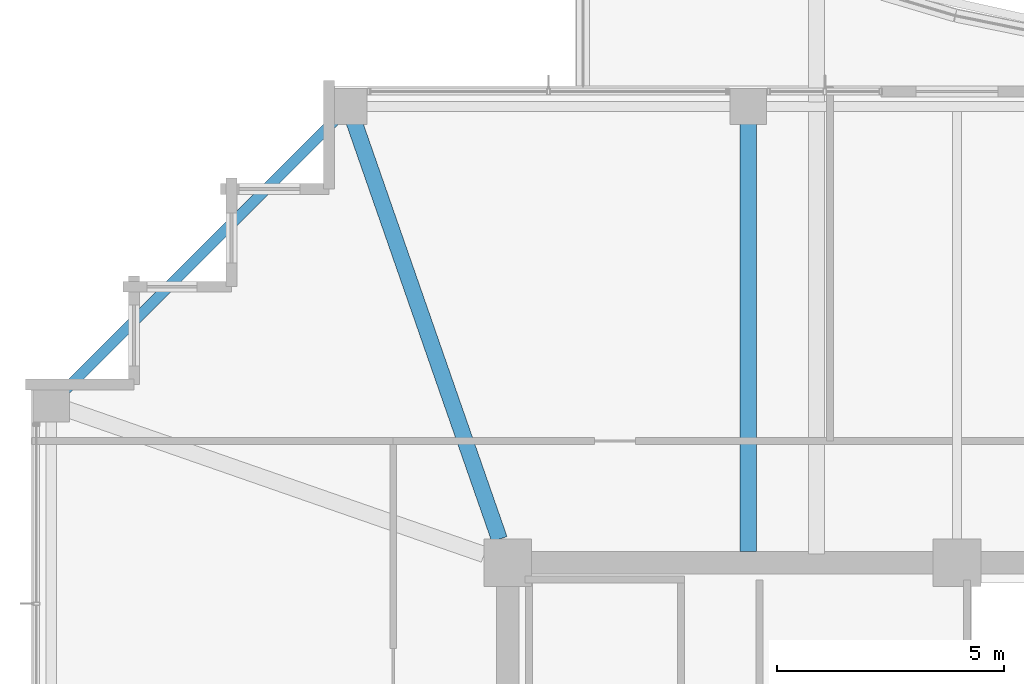
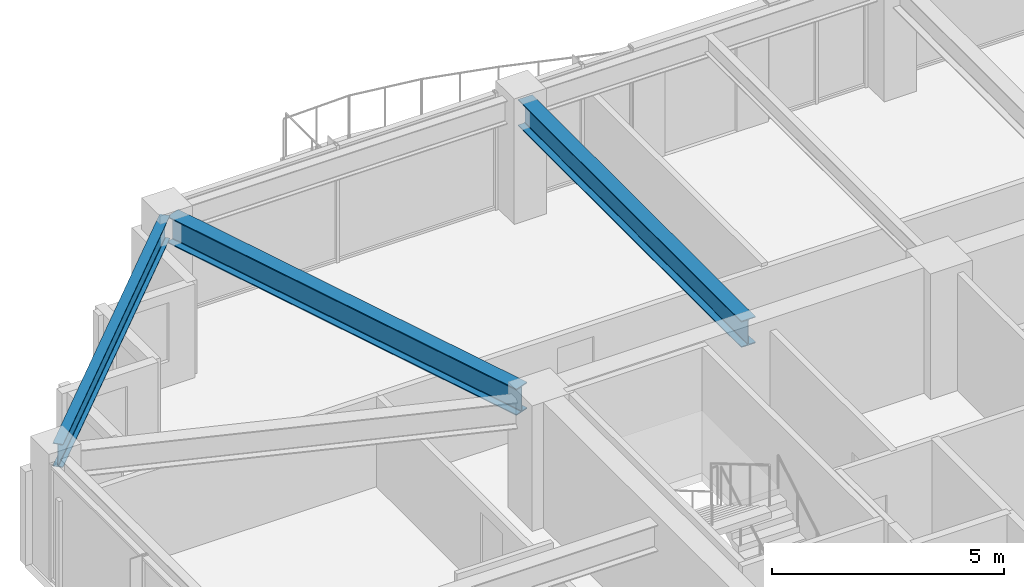
# One storey, part 15 of 36: 3 beams.
"""IFC4 building model written with IfcOpenShell, lengths in metres."""

import ifcopenshell
import ifcopenshell.guid

model = None  # the IFC model being written
_history = None  # IfcOwnerHistory: only IFC2X3 demands one
_inside = {}  # id of a spatial element -> (the spatial element, [elements in it])
_under = {}  # id of a project, library or spatial element -> (it, [spatial elements below it])
_declared = {}  # id of a project -> (the project, [libraries it declares])
_typed = {}  # id of a type object -> (the type object, [elements of that type])
_made_of = {}  # id of a material, layer set ... -> (it, [elements and type objects made of it])


def new_model(schema):
    """Start an empty IFC model of exactly this schema.

    Asked for "IFC4X3", IfcOpenShell would pick the latest addendum, in which some entities
    have other attributes; the version numbers below select the first issue.
    IFC2X3 requires an IfcOwnerHistory on every rooted entity: one is made here for all.
    """
    global model, _history
    if schema == "IFC4X3":
        model = ifcopenshell.file(schema_version=(4, 3, 0, 0))
    else:
        model = ifcopenshell.file(schema=schema)
    _inside.clear()
    _under.clear()
    _declared.clear()
    _typed.clear()
    _made_of.clear()
    _history = None
    if model.schema == "IFC2X3":
        org = make("IfcOrganization", Name="unknown")
        user = make(
            "IfcPersonAndOrganization",
            ThePerson=make("IfcPerson", FamilyName="unknown"),
            TheOrganization=org,
        )
        app = make(
            "IfcApplication",
            ApplicationDeveloper=org,
            Version="unknown",
            ApplicationFullName="unknown",
            ApplicationIdentifier="unknown",
        )
        _history = make(
            "IfcOwnerHistory",
            OwningUser=user,
            OwningApplication=app,
            ChangeAction="ADDED",
            CreationDate=0,
        )
    return model


def make(cls, **values):
    """One entity of the class cls with the attributes given. An attribute that is None is left unset."""
    return model.create_entity(
        cls, **{name: value for name, value in values.items() if value is not None}
    )


def rooted(cls, **values):
    """An entity with a GlobalId (a new one), such as an element, a storey or a relation."""
    return make(cls, GlobalId=ifcopenshell.guid.new(), OwnerHistory=_history, **values)


def si_unit(unit_type, name, prefix=None):
    """IfcSIUnit, for example si_unit("LENGTHUNIT", "METRE", prefix="MILLI")."""
    return make("IfcSIUnit", UnitType=unit_type, Prefix=prefix, Name=name)


def assignment(units):
    """IfcUnitAssignment: the units of a project."""
    return None if units is None else make("IfcUnitAssignment", Units=units)


def point(xyz):
    """IfcCartesianPoint."""
    return None if xyz is None else make("IfcCartesianPoint", Coordinates=xyz)


def direction(xyz):
    """IfcDirection."""
    return None if xyz is None else make("IfcDirection", DirectionRatios=xyz)


def frame(location, z_axis=None, x_axis=None):
    """IfcAxis2Placement3D, a coordinate frame: its origin and axes. An axis left out is left unset."""
    return make(
        "IfcAxis2Placement3D",
        Location=point(location),
        Axis=direction(z_axis),
        RefDirection=direction(x_axis),
    )


def frame_2d(location, x_axis=None):
    """IfcAxis2Placement2D, a coordinate frame in the plane: its origin and x axis."""
    return make(
        "IfcAxis2Placement2D", Location=point(location), RefDirection=direction(x_axis)
    )


def origin():
    """The frame at (0, 0, 0) with its axes left unset."""
    return frame((0.0, 0.0, 0.0))


def origin_2d():
    """The frame at (0, 0) in the plane with its x axis left unset."""
    return frame_2d((0.0, 0.0))


def place(relative_to, where):
    """IfcLocalPlacement: puts the frame where relative to a parent placement (None: the world)."""
    return make(
        "IfcLocalPlacement", PlacementRelTo=relative_to, RelativePlacement=where
    )


def context(
    kind, dimensions, precision=None, world=None, true_north=None, identifier=None
):
    """IfcGeometricRepresentationContext, for example the 3D "Model" context."""
    return make(
        "IfcGeometricRepresentationContext",
        ContextIdentifier=identifier,
        ContextType=kind,
        CoordinateSpaceDimension=dimensions,
        Precision=precision,
        WorldCoordinateSystem=world,
        TrueNorth=true_north,
    )


def subcontext(parent, identifier, kind, view, scale=None):
    """IfcGeometricRepresentationSubContext, for example "Body" below "Model"."""
    return make(
        "IfcGeometricRepresentationSubContext",
        ContextIdentifier=identifier,
        ContextType=kind,
        ParentContext=parent,
        TargetScale=scale,
        TargetView=view,
    )


def project(units=None, contexts=None):
    """IfcProject with its units and contexts."""
    return rooted(
        "IfcProject",
        Name="project",
        RepresentationContexts=contexts,
        UnitsInContext=assignment(units),
    )


def spatial(cls, under=None, at=None, **own):
    """A site, building, storey or space (cls), placed at a placement, below another one or the project."""
    s = rooted(cls, ObjectPlacement=at, **own)
    if under is not None:
        _under.setdefault(under.id(), (under, []))[1].append(s)
    return s


def profile(cls, at=None, kind="AREA", **sizes):
    """A parametric profile (cls). Its sizes go by their IFC names, for example OverallWidth=200.0."""
    return make(cls, ProfileType=kind, Position=at, **sizes)


def i_section(**sizes):
    """IfcIShapeProfileDef."""
    return profile("IfcIShapeProfileDef", **sizes)


def extrude(swept, where, along, depth):
    """IfcExtrudedAreaSolid: the profile swept, set in the frame where, extruded along a direction by depth."""
    return make(
        "IfcExtrudedAreaSolid",
        SweptArea=swept,
        Position=where,
        ExtrudedDirection=direction(along),
        Depth=depth,
    )


def shape(context_of_items, identifier, shape_type, items):
    """IfcShapeRepresentation: the items that make up one representation, for example the "Body"."""
    return make(
        "IfcShapeRepresentation",
        ContextOfItems=context_of_items,
        RepresentationIdentifier=identifier,
        RepresentationType=shape_type,
        Items=items,
    )


def material(Name=None, Category=None):
    """IfcMaterial."""
    return make("IfcMaterial", Name=Name, Category=Category)


def material_profile(
    of_material, cross_section, Name=None, Category=None, Priority=None
):
    """IfcMaterialProfile: a cross section and its material."""
    return make(
        "IfcMaterialProfile",
        Name=Name,
        Material=of_material,
        Profile=cross_section,
        Priority=Priority,
        Category=Category,
    )


def profile_set(profiles, Name=None, composite=None):
    """IfcMaterialProfileSet."""
    return make(
        "IfcMaterialProfileSet",
        Name=Name,
        MaterialProfiles=profiles,
        CompositeProfile=composite,
    )


def made_of(thing, what):
    """Note that an element or type object is made of a material, layer set ...; save() writes the relation."""
    if what is not None:
        _made_of.setdefault(what.id(), (what, []))[1].append(thing)
    return thing


def type_object(cls, material=None, **own):
    """A type object (cls), such as IfcWallType, which elements share."""
    return made_of(rooted(cls, **own), material)


def element(
    cls,
    number,
    at=None,
    inside=None,
    cuts=None,
    type_object=None,
    material=None,
    context=None,
    identifier="Body",
    shape_type=None,
    held_by="IfcProductDefinitionShape",
    body=None,
    shapes=None,
    **own,
):
    """One element of the class cls, such as IfcWall. Its Tag is "e" and its number.

    at: its placement. inside: the storey or other place that contains it. cuts: it is an
    opening in that element (IfcRelVoidsElement). A single representation is given by context,
    identifier, shape_type and body (its items); several are given by shapes. held_by: the class
    of the entity that holds the representations. save() writes the other relations.
    """
    e = rooted(cls, Tag="e%d" % number, ObjectPlacement=at, **own)
    if body is not None:
        shapes = [shape(context, identifier, shape_type, body)]
    if shapes is not None:
        e.Representation = make(held_by, Representations=shapes)
    if inside is not None:
        _inside.setdefault(inside.id(), (inside, []))[1].append(e)
    if cuts is not None:
        rooted(
            "IfcRelVoidsElement", RelatingBuildingElement=cuts, RelatedOpeningElement=e
        )
    if type_object is not None:
        _typed.setdefault(type_object.id(), (type_object, []))[1].append(e)
    return made_of(e, material)


def aggregate(whole, parts):
    """IfcRelAggregates: a whole, such as a stair, and the parts it consists of."""
    return rooted("IfcRelAggregates", RelatingObject=whole, RelatedObjects=parts)


def save(model, path):
    """Write the relations noted so far, then the file.

    IfcRelAggregates (storeys below a building ...), IfcRelContainedInSpatialStructure (elements
    in a storey), IfcRelDefinesByType, IfcRelAssociatesMaterial and IfcRelDeclares: one each for
    every whole, place, type object, material and project.
    """
    for whole, parts in _under.values():
        aggregate(whole, parts)
    for where, things in _inside.values():
        rooted(
            "IfcRelContainedInSpatialStructure",
            RelatedElements=things,
            RelatingStructure=where,
        )
    for kind, things in _typed.values():
        rooted("IfcRelDefinesByType", RelatedObjects=things, RelatingType=kind)
    for what, things in _made_of.values():
        rooted("IfcRelAssociatesMaterial", RelatedObjects=things, RelatingMaterial=what)
    for by, libraries in _declared.values():
        rooted("IfcRelDeclares", RelatingContext=by, RelatedDefinitions=libraries)
    model.write(path)


model = new_model("IFC4")

# Units and contexts
model_context = context("Model", 3, precision=1e-05, world=origin(), true_north=direction((0.0, 1.0)))
body_context = subcontext(model_context, "Body", "Model", "MODEL_VIEW")
ifc_project = project(units=[si_unit("LENGTHUNIT", "METRE"), si_unit("AREAUNIT", "SQUARE_METRE"), si_unit("VOLUMEUNIT", "CUBIC_METRE"), si_unit("PLANEANGLEUNIT", "RADIAN"), si_unit("MASSUNIT", "GRAM", prefix="KILO")], contexts=[model_context])

# Site, building, storey
site_placement = place(None, origin())
site = spatial("IfcSite", under=ifc_project, at=site_placement, CompositionType="ELEMENT")
building_placement = place(site_placement, origin())
building = spatial("IfcBuilding", under=site, at=building_placement, Name="Kolvaren Belvedere", CompositionType="ELEMENT")
storey_placement = place(building_placement, frame((0.0, 0.0, 193.199951171875)))
storey = spatial("IfcBuildingStorey", under=building, at=storey_placement, Name="L56", CompositionType="ELEMENT", Elevation=193.199951171875)

# Beams
ifc_material_1 = material(Name="Structural steel ASTM A992 Grade 50", Category="steel")
ifc_material_profile_1 = material_profile(ifc_material_1, i_section(OverallWidth=0.35498046875, OverallDepth=0.696044921875, WebThickness=0.015380859375, FlangeThickness=0.02490234375, FilletRadius=0.02197265625, at=origin_2d()), Name="W27X146")
ifc_profile_set_1 = profile_set([ifc_material_profile_1], Name="Structural steel ASTM A992 Grade 50")
beam_type_1 = type_object("IfcBeamType", Name="BM-GIRD-W27X146", PredefinedType="BEAM", material=ifc_profile_set_1)
beam_1_placement = place(storey_placement, frame((-4.60009765625, 10.14990234375, 2.73193359375), z_axis=(0.0, 1.0, 0.0), x_axis=(-1.0, 0.0, 0.0)))
element("IfcBeam", 1, at=beam_1_placement, inside=storey, type_object=beam_type_1, Name="L56 North Radial Girder M", PredefinedType="BEAM", context=body_context, shape_type="SweptSolid", body=[
    extrude(i_section(OverallWidth=0.35498046875, OverallDepth=0.696044921875, WebThickness=0.015380859375, FlangeThickness=0.02490234375, FilletRadius=0.02197265625, at=origin_2d()), origin(), (0.0, 0.0, 1.0), 9.6201171875),
])
beam_2_placement = place(storey_placement, frame((-10.080810546875, 10.41943359375, 2.73193359375), z_axis=(-0.328898147971, 0.944365399758, 0.0), x_axis=(-0.944365399758, -0.328898147971, 0.0)))
element("IfcBeam", 2, at=beam_2_placement, inside=storey, type_object=beam_type_1, Name="L56 Corner Core-to-Perimeter Girder CC4-N1", PredefinedType="BEAM", context=body_context, shape_type="SweptSolid", body=[
    extrude(i_section(OverallWidth=0.35498046875, OverallDepth=0.696044921875, WebThickness=0.015380859375, FlangeThickness=0.02490234375, FilletRadius=0.02197265625, at=origin_2d()), origin(), (0.0, 0.0, 1.0), 9.931884765625),
])
ifc_material_2 = material(Name="Structural steel ASTM A992 Grade 50", Category="steel")
ifc_material_profile_2 = material_profile(ifc_material_2, i_section(OverallWidth=0.22900390625, OverallDepth=0.612060546875, WebThickness=0.011962890625, FlangeThickness=0.01953125, FilletRadius=0.01806640625, at=origin_2d()), Name="W24X84")
ifc_profile_set_2 = profile_set([ifc_material_profile_2], Name="Structural steel ASTM A992 Grade 50")
beam_type_2 = type_object("IfcBeamType", Name="BM-SPAN-W24X84", PredefinedType="SPANDREL", material=ifc_profile_set_2)
beam_3_placement = place(storey_placement, frame((-13.52734375, 19.82275390625, 2.774169921875), z_axis=(-0.707106781187, -0.707106781187, 0.0), x_axis=(0.707106781187, -0.707106781187, 0.0)))
element("IfcBeam", 3, at=beam_3_placement, inside=storey, type_object=beam_type_2, Name="L56 Perimeter Spandrel N1-W4", PredefinedType="SPANDREL", context=body_context, shape_type="SweptSolid", body=[
    extrude(i_section(OverallWidth=0.22900390625, OverallDepth=0.612060546875, WebThickness=0.011962890625, FlangeThickness=0.01953125, FilletRadius=0.01806640625, at=origin_2d()), origin(), (0.0, 0.0, 1.0), 8.903076171875),
])

save(model, "model.ifc")
